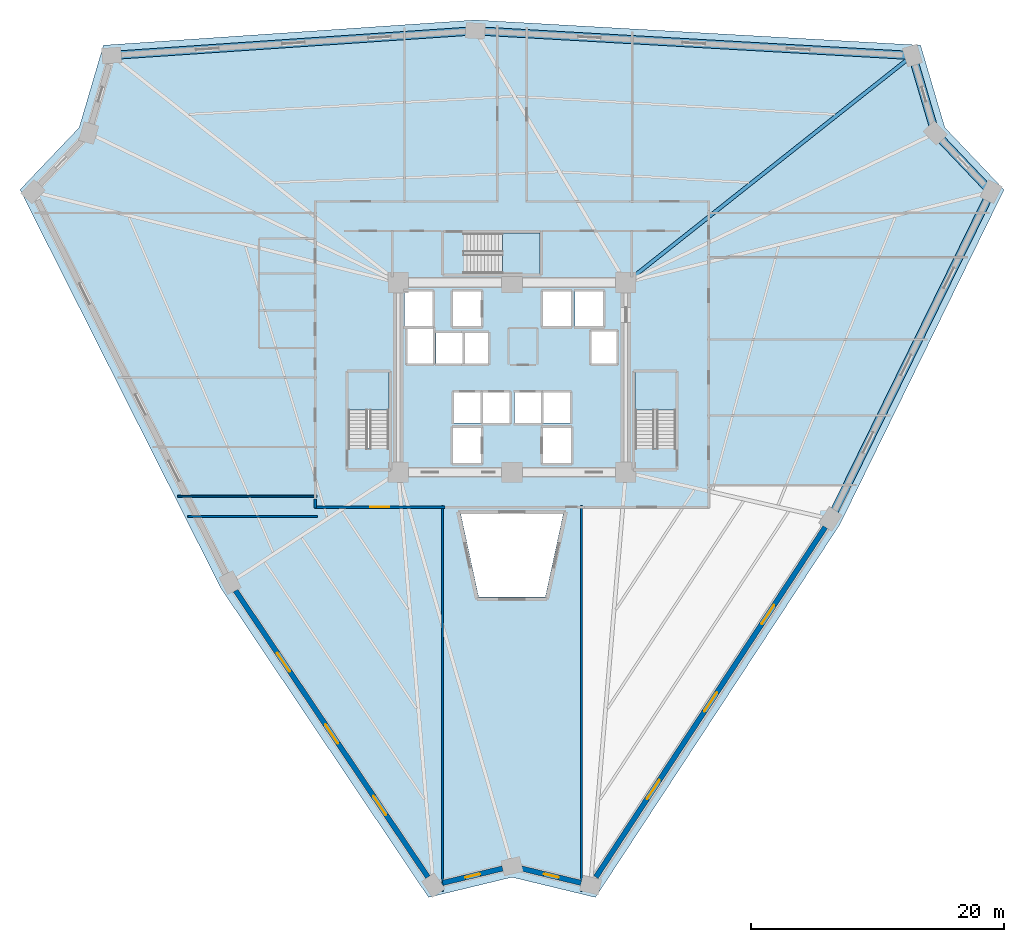
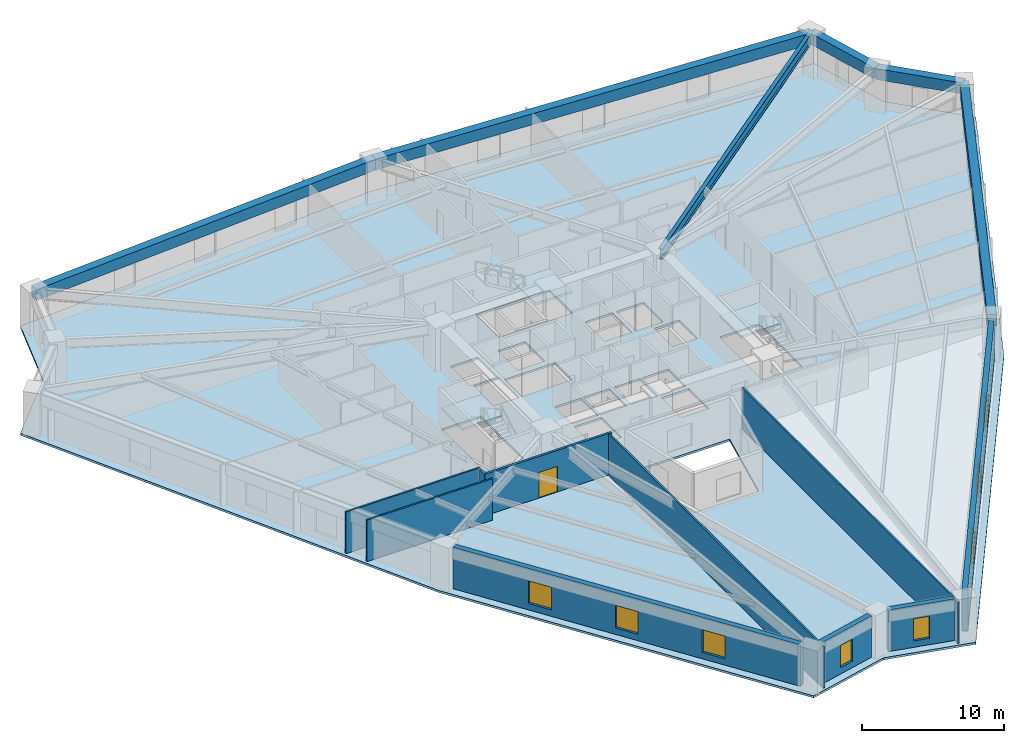
# One storey, part 2 of 9: 10 walls, 8 windows, 6 beams, 4 slabs, 1 door, 9 openings, 3 elements without a shape of their own.
"""IFC4 building model written with IfcOpenShell, lengths in metres."""

from ifc_helpers import new_model, si_unit, direction, frame, frame_2d, origin, origin_2d, place, context, subcontext, project, spatial, polyline, rectangle, i_section, outline, extrude, source, transform, mapped, material, layer, layer_set, material_profile, profile_set, type_object, element, fill, aggregate, save


model = new_model("IFC4")

# Units and contexts
model_context = context("Model", 3, precision=1e-05, world=origin(), true_north=direction((0.0, 1.0)))
body_context = subcontext(model_context, "Body", "Model", "MODEL_VIEW")
ifc_project = project(units=[si_unit("LENGTHUNIT", "METRE"), si_unit("AREAUNIT", "SQUARE_METRE"), si_unit("VOLUMEUNIT", "CUBIC_METRE"), si_unit("PLANEANGLEUNIT", "RADIAN"), si_unit("MASSUNIT", "GRAM", prefix="KILO")], contexts=[model_context])

# Site, building, storey
site_placement = place(None, origin())
site = spatial("IfcSite", under=ifc_project, at=site_placement, CompositionType="ELEMENT")
building_placement = place(site_placement, origin())
building = spatial("IfcBuilding", under=site, at=building_placement, Name="Liaohun Quay Tower", CompositionType="ELEMENT")
storey_placement = place(building_placement, frame((0.0, 0.0, 74.25)))
storey = spatial("IfcBuildingStorey", under=building, at=storey_placement, Name="L19", CompositionType="ELEMENT", Elevation=74.25)

# Beams
ifc_material_1 = material(Name="Steel Q420D", Category="steel")
ifc_material_profile_1 = material_profile(ifc_material_1, i_section(OverallWidth=0.300048828125, OverallDepth=0.89990234375, WebThickness=0.01611328125, FlangeThickness=0.028076171875, at=origin_2d()), Name="HN900x300x16x28")
ifc_profile_set_1 = profile_set([ifc_material_profile_1], Name="Steel Q420D")
beam_type_1 = type_object("IfcBeamType", Name="BM-RAD-H1", PredefinedType="BEAM", material=ifc_profile_set_1)
shared_shape_1 = source(origin(), body_context, "Body", "SweptSolid", [
    extrude(i_section(OverallWidth=0.300048828125, OverallDepth=0.89990234375, WebThickness=0.01611328125, FlangeThickness=0.028076171875, at=origin_2d()), origin(), (0.0, 0.0, 1.0), 28.9189453125),
])
beam_1_placement = place(storey_placement, frame((69.0, 61.5, 3.1201171875), z_axis=(0.783775959665, 0.621043674029, 0.0), x_axis=(-0.621043674029, 0.783775959665, 0.0)))
element("IfcBeam", 1, at=beam_1_placement, inside=storey, type_object=beam_type_1, Name="L19 Radial Primary Girder CC4-PC07", PredefinedType="BEAM", context=body_context, shape_type="MappedRepresentation", body=[
    mapped(shared_shape_1, transform((0.0, 0.0, 0.0), x_axis=(1.0, 0.0, 0.0), y_axis=(0.0, 1.0, 0.0), z_axis=(0.0, 0.0, 1.0), scale=1.0)),
])
ifc_material_2 = material(Name="Precast concrete C55", Category="concrete")
ifc_material_profile_2 = material_profile(ifc_material_2, rectangle(XDim=0.64990234375, YDim=0.949951171875, at=origin_2d()), Name="RC650x950")
ifc_profile_set_2 = profile_set([ifc_material_profile_2], Name="Precast concrete C55")
beam_type_2 = type_object("IfcBeamType", Name="BM-SPD-Z1", PredefinedType="SPANDREL", material=ifc_profile_set_2)
shared_shape_2 = source(origin(), body_context, "Body", "SweptSolid", [
    extrude(rectangle(XDim=0.64990234375, YDim=0.949951171875, at=origin_2d()), origin(), (0.0, 0.0, 1.0), 28.8271484375),
])
beam_2_placement = place(storey_placement, frame((28.3359375, 79.467041015625, 3.094970703125), z_axis=(0.99770728934, 0.067676914809, 0.0), x_axis=(-0.067676914809, 0.99770728934, 0.0)))
element("IfcBeam", 2, at=beam_2_placement, inside=storey, type_object=beam_type_2, Name="L19 Precast Spandrel Beam PC05-PC06", PredefinedType="SPANDREL", context=body_context, shape_type="MappedRepresentation", body=[
    mapped(shared_shape_2, transform((0.0, 0.0, 0.0), x_axis=(1.0, 0.0, 0.0), y_axis=(0.0, 1.0, 0.0), z_axis=(0.0, 0.0, 1.0), scale=1.0)),
])
shared_shape_3 = source(origin(), body_context, "Body", "SweptSolid", [
    extrude(rectangle(XDim=0.64990234375, YDim=0.949951171875, at=origin_2d()), origin(), (0.0, 0.0, 1.0), 34.62451171875),
])
beam_3_placement = place(storey_placement, frame((57.096923828125, 81.41796875, 3.094970703125), z_axis=(0.998399780783, -0.056549781008, 0.0), x_axis=(0.056549781008, 0.998399780783, 0.0)))
element("IfcBeam", 3, at=beam_3_placement, inside=storey, type_object=beam_type_2, Name="L19 Precast Spandrel Beam PC06-PC07", PredefinedType="SPANDREL", context=body_context, shape_type="MappedRepresentation", body=[
    mapped(shared_shape_3, transform((0.0, 0.0, 0.0), x_axis=(1.0, 0.0, 0.0), y_axis=(0.0, 1.0, 0.0), z_axis=(0.0, 0.0, 1.0), scale=1.0)),
])
shared_shape_4 = source(origin(), body_context, "Body", "SweptSolid", [
    extrude(rectangle(XDim=0.64990234375, YDim=0.949951171875, at=origin_2d()), origin(), (0.0, 0.0, 1.0), 6.39501953125),
])
beam_4_placement = place(storey_placement, frame((91.666015625, 79.4599609375, 3.094970703125), z_axis=(0.282738807051, -0.959196938583, 0.0), x_axis=(0.959196938583, 0.282738807051, 0.0)))
element("IfcBeam", 4, at=beam_4_placement, inside=storey, type_object=beam_type_2, Name="L19 Precast Spandrel Beam PC07-PC08", PredefinedType="SPANDREL", context=body_context, shape_type="MappedRepresentation", body=[
    mapped(shared_shape_4, transform((0.0, 0.0, 0.0), x_axis=(1.0, 0.0, 0.0), y_axis=(0.0, 1.0, 0.0), z_axis=(0.0, 0.0, 1.0), scale=1.0)),
])
shared_shape_5 = source(origin(), body_context, "Body", "SweptSolid", [
    extrude(rectangle(XDim=0.64990234375, YDim=0.949951171875, at=origin_2d()), origin(), (0.0, 0.0, 1.0), 6.40185546875),
])
beam_5_placement = place(storey_placement, frame((93.47412109375, 73.325927734375, 3.094970703125), z_axis=(0.689307516097, -0.724468873211, 0.0), x_axis=(0.724468873211, 0.689307516097, 0.0)))
element("IfcBeam", 5, at=beam_5_placement, inside=storey, type_object=beam_type_2, Name="L19 Precast Spandrel Beam PC08-PC09", PredefinedType="SPANDREL", context=body_context, shape_type="MappedRepresentation", body=[
    mapped(shared_shape_5, transform((0.0, 0.0, 0.0), x_axis=(1.0, 0.0, 0.0), y_axis=(0.0, 1.0, 0.0), z_axis=(0.0, 0.0, 1.0), scale=1.0)),
])
shared_shape_6 = source(origin(), body_context, "Body", "SweptSolid", [
    extrude(rectangle(XDim=0.64990234375, YDim=0.949951171875, at=origin_2d()), origin(), (0.0, 0.0, 1.0), 28.826171875),
])
beam_6_placement = place(storey_placement, frame((97.886962890625, 68.68798828125, 3.094970703125), z_axis=(-0.440258571868, -0.897871031884, 0.0), x_axis=(0.897871031884, -0.440258571868, 0.0)))
element("IfcBeam", 6, at=beam_6_placement, inside=storey, type_object=beam_type_2, Name="L19 Precast Spandrel Beam PC09-PC10", PredefinedType="SPANDREL", context=body_context, shape_type="MappedRepresentation", body=[
    mapped(shared_shape_6, transform((0.0, 0.0, 0.0), x_axis=(1.0, 0.0, 0.0), y_axis=(0.0, 1.0, 0.0), z_axis=(0.0, 0.0, 1.0), scale=1.0)),
])

# Stair, slab
ifc_material_3 = material(Name="Concrete C45", Category="concrete")
stair_type = type_object("IfcStairType", Name="STR-CORE-OFF", PredefinedType="HALF_TURN_STAIR", material=ifc_material_3)
stair_1_placement = place(storey_placement, origin())
stair_1 = element("IfcStair", 7, at=stair_1_placement, inside=storey, type_object=stair_type, Name="L19 Smokeproof Core Exit Stair ST-1", PredefinedType="HALF_TURN_STAIR")
ifc_layer_1 = layer(ifc_material_3, 0.199951171875, Name="Concrete C45", Category="concrete")
ifc_layer_set_1 = layer_set([ifc_layer_1], Name="Concrete C45")
slab_type_1 = type_object("IfcSlabType", Name="SLB-LND-200", PredefinedType="LANDING", material=ifc_layer_set_1)
slab_1_placement = place(storey_placement, frame((0.0, 0.0, 1.675048828125)))
slab_1 = element("IfcSlab", 8, at=slab_1_placement, type_object=slab_type_1, Name="ST-1 landing 1", PredefinedType="LANDING", context=body_context, shape_type="SweptSolid", body=[
    extrude(outline(polyline([(50.280029296875, 51.429931640625), (50.280029296875, 54.419921875), (47.0400390625, 54.419921875), (47.0400390625, 51.429931640625), (50.280029296875, 51.429931640625)])), origin(), (0.0, 0.0, 1.0), 0.199951171875),
])
aggregate(stair_1, [slab_1])

stair_2_placement = place(storey_placement, origin())
stair_2 = element("IfcStair", 9, at=stair_2_placement, inside=storey, type_object=stair_type, Name="L19 Smokeproof Core Exit Stair ST-2", PredefinedType="HALF_TURN_STAIR")
slab_2_placement = place(storey_placement, frame((0.0, 0.0, 1.675048828125)))
slab_2 = element("IfcSlab", 10, at=slab_2_placement, type_object=slab_type_1, Name="ST-2 landing 1", PredefinedType="LANDING", context=body_context, shape_type="SweptSolid", body=[
    extrude(outline(polyline([(72.9599609375, 51.429931640625), (72.9599609375, 54.419921875), (69.719970703125, 54.419921875), (69.719970703125, 51.429931640625), (72.9599609375, 51.429931640625)])), origin(), (0.0, 0.0, 1.0), 0.199951171875),
])
aggregate(stair_2, [slab_2])

stair_3_placement = place(storey_placement, origin())
stair_3 = element("IfcStair", 11, at=stair_3_placement, inside=storey, type_object=stair_type, Name="L19 Smokeproof Core Exit Stair ST-3", PredefinedType="HALF_TURN_STAIR")
slab_3_placement = place(storey_placement, frame((0.0, 0.0, 1.675048828125)))
slab_3 = element("IfcSlab", 12, at=slab_3_placement, type_object=slab_type_1, Name="ST-3 landing 1", PredefinedType="LANDING", context=body_context, shape_type="SweptSolid", body=[
    extrude(outline(polyline([(59.22998046875, 62.199951171875), (62.219970703125, 62.199951171875), (62.219970703125, 65.43994140625), (59.22998046875, 65.43994140625), (59.22998046875, 62.199951171875)])), origin(), (0.0, 0.0, 1.0), 0.199951171875),
])
aggregate(stair_3, [slab_3])

# Slab
ifc_layer_2 = layer(ifc_material_3, 0.179931640625, Name="Concrete C45", Category="concrete")
ifc_layer_set_2 = layer_set([ifc_layer_2], Name="Concrete C45")
slab_type_2 = type_object("IfcSlabType", Name="SLB-OFF-180", PredefinedType="FLOOR", material=ifc_layer_set_2)
slab_4_placement = place(storey_placement, frame((0.0, 0.0, -0.179931640625)))
element("IfcSlab", 13, at=slab_4_placement, inside=storey, type_object=slab_type_2, Name="L19 Structural Floor Slab", PredefinedType="FLOOR", context=body_context, shape_type="SweptSolid", body=[
    extrude(outline(polyline([(53.40087890625, 12.87890625), (60.0, 14.472900390625), (66.59912109375, 12.87890625), (85.93603515625, 42.384033203125), (98.910888671875, 68.844970703125), (94.23095703125, 73.762939453125), (92.31201171875, 80.27490234375), (57.092041015625, 82.27001953125), (27.68798828125, 80.27490234375), (25.76904296875, 73.762939453125), (21.089111328125, 68.844970703125), (36.971923828125, 37.346923828125), (53.40087890625, 12.87890625)]), holes=[polyline([(57.56005859375, 47.2099609375), (57.56005859375, 50.030029296875), (55.340087890625, 50.030029296875), (55.340087890625, 47.2099609375), (57.56005859375, 47.2099609375)]), polyline([(50.280029296875, 54.419921875), (47.0400390625, 54.419921875), (47.0400390625, 48.409912109375), (50.280029296875, 48.409912109375), (50.280029296875, 54.419921875)]), polyline([(57.510009765625, 50.389892578125), (57.510009765625, 52.81005859375), (55.389892578125, 52.81005859375), (55.389892578125, 50.389892578125), (57.510009765625, 50.389892578125)]), polyline([(59.81005859375, 50.389892578125), (59.81005859375, 52.81005859375), (57.68994140625, 52.81005859375), (57.68994140625, 50.389892578125), (59.81005859375, 50.389892578125)]), polyline([(58.110107421875, 57.510009765625), (53.989990234375, 57.510009765625), (53.989990234375, 55.090087890625), (58.110107421875, 55.090087890625), (58.110107421875, 57.510009765625)]), polyline([(53.760009765625, 55.090087890625), (53.760009765625, 57.909912109375), (51.7099609375, 57.909912109375), (51.7099609375, 55.090087890625), (53.760009765625, 55.090087890625)]), polyline([(51.489990234375, 58.0400390625), (53.7099609375, 58.0400390625), (53.7099609375, 60.7900390625), (51.489990234375, 60.7900390625), (51.489990234375, 58.0400390625)]), polyline([(55.340087890625, 58.0400390625), (57.56005859375, 58.0400390625), (57.56005859375, 60.7900390625), (55.340087890625, 60.7900390625), (55.340087890625, 58.0400390625)]), polyline([(62.636962890625, 36.631103515625), (64.056884765625, 43.199951171875), (55.943115234375, 43.199951171875), (57.363037109375, 36.631103515625), (62.636962890625, 36.631103515625)]), polyline([(64.659912109375, 47.2099609375), (64.659912109375, 50.030029296875), (62.43994140625, 50.030029296875), (62.43994140625, 47.2099609375), (64.659912109375, 47.2099609375)]), polyline([(72.9599609375, 54.419921875), (69.719970703125, 54.419921875), (69.719970703125, 48.409912109375), (72.9599609375, 48.409912109375), (72.9599609375, 54.419921875)]), polyline([(62.31005859375, 50.389892578125), (62.31005859375, 52.81005859375), (60.18994140625, 52.81005859375), (60.18994140625, 50.389892578125), (62.31005859375, 50.389892578125)]), polyline([(64.610107421875, 50.389892578125), (64.610107421875, 52.81005859375), (62.489990234375, 52.81005859375), (62.489990234375, 50.389892578125), (64.610107421875, 50.389892578125)]), polyline([(68.2900390625, 55.090087890625), (68.2900390625, 57.659912109375), (66.2900390625, 57.659912109375), (66.2900390625, 55.090087890625), (68.2900390625, 55.090087890625)]), polyline([(64.659912109375, 58.0400390625), (64.659912109375, 60.7900390625), (62.43994140625, 60.7900390625), (62.43994140625, 58.0400390625), (64.659912109375, 58.0400390625)]), polyline([(64.989990234375, 58.0400390625), (67.2099609375, 58.0400390625), (67.2099609375, 60.7900390625), (64.989990234375, 60.7900390625), (64.989990234375, 58.0400390625)]), polyline([(56.2099609375, 62.199951171875), (62.219970703125, 62.199951171875), (62.219970703125, 65.43994140625), (56.2099609375, 65.43994140625), (56.2099609375, 62.199951171875)])]), origin(), (0.0, 0.0, 1.0), 0.179931640625),
])

# Wall, opening, window
ifc_material_4 = material(Name="Precast concrete C50 insulated sandwich", Category="concrete")
ifc_layer_3 = layer(ifc_material_4, 0.419921875, Name="Precast concrete C50 insulated sandwich", Category="concrete")
ifc_layer_set_3 = layer_set([ifc_layer_3], Name="Precast concrete C50 insulated sandwich")
wall_type_1 = type_object("IfcWallType", Name="WAL-EXT-Z12", PredefinedType="SOLIDWALL", material=ifc_layer_set_3)
wall_1_placement = place(storey_placement, frame((60.743896484375, 15.1669921875, 0.0), z_axis=(0.0, 0.0, 1.0), x_axis=(0.972088524974, -0.234614363613, 0.0)))
wall_1 = element("IfcWall", 14, at=wall_1_placement, inside=storey, type_object=wall_type_1, Name="L19 Brutalist Precast Pier Wall 01", PredefinedType="SOLIDWALL", context=body_context, shape_type="SweptSolid", body=[
    extrude(rectangle(XDim=4.86376953125, YDim=0.419921875, at=frame_2d((2.431884765625, 0.0))), origin(), (0.0, 0.0, 1.0), 3.570068359375),
])
shared_shape_7 = source(origin(), body_context, "Body", "SweptSolid", [
    extrude(rectangle(XDim=1.199951171875, YDim=1.89990234375, at=frame_2d((0.60009765625, 0.949951171875))), frame((0.0, 0.219970703125, 0.0), z_axis=(0.0, -1.0, 0.0), x_axis=(1.0, 0.0, 0.0)), (0.0, 0.0, 1.0), 0.43994140625),
])
opening_1_placement = place(wall_1_placement, frame((1.83203125, 0.0, 0.550048828125)))
opening_1 = element("IfcOpeningElement", 15, at=opening_1_placement, cuts=wall_1, Name="Opening W05", PredefinedType="OPENING", context=body_context, shape_type="MappedRepresentation", body=[
    mapped(shared_shape_7, transform((0.0, 0.0, 0.0), x_axis=(1.0, 0.0, 0.0), y_axis=(0.0, 1.0, 0.0), z_axis=(0.0, 0.0, 1.0), scale=1.0)),
])
ifc_material_5 = material(Name="Triple Low-E corner notch glazing", Category="glass")
window_type_1 = type_object("IfcWindowType", Name="WIN-NOTCH", PartitioningType="SINGLE_PANEL", PredefinedType="WINDOW", material=ifc_material_5)
shared_shape_8 = source(origin(), body_context, "Body", "SweptSolid", [
    extrude(rectangle(XDim=1.199951171875, YDim=1.89990234375, at=frame_2d((0.60009765625, 0.949951171875))), frame((0.0, 0.030029296875, 0.0), z_axis=(0.0, -1.0, 0.0), x_axis=(1.0, 0.0, 0.0)), (0.0, 0.0, 1.0), 0.06005859375),
])
window_1_placement = place(opening_1_placement, origin())
window_1 = element("IfcWindow", 16, at=window_1_placement, inside=storey, type_object=window_type_1, Name="L19 Corner Notch Window W05-01", OverallHeight=1.89990234375, OverallWidth=1.199951171875, PartitioningType="SINGLE_PANEL", PredefinedType="WINDOW", context=body_context, shape_type="MappedRepresentation", body=[
    mapped(shared_shape_8, transform((0.0, 0.0, 0.0), x_axis=(1.0, 0.0, 0.0), y_axis=(0.0, 1.0, 0.0), z_axis=(0.0, 0.0, 1.0), scale=1.0)),
])
fill(opening_1, window_1)

# Wall, openings, windows
wall_2_placement = place(storey_placement, frame((66.635009765625, 14.486083984375, 0.0), z_axis=(0.0, 0.0, 1.0), x_axis=(0.548173435932, 0.836364683699, 0.0)))
wall_2 = element("IfcWall", 17, at=wall_2_placement, inside=storey, type_object=wall_type_1, Name="L19 Brutalist Precast Pier Wall 02", PredefinedType="SOLIDWALL", context=body_context, shape_type="SweptSolid", body=[
    extrude(rectangle(XDim=33.095458984375, YDim=0.419921875, at=frame_2d((16.5478515625, 0.0))), origin(), (0.0, 0.0, 1.0), 3.570068359375),
])
shared_shape_9 = source(origin(), body_context, "Body", "SweptSolid", [
    extrude(rectangle(XDim=1.800048828125, YDim=1.949951171875, at=frame_2d((0.89990234375, 0.97509765625))), frame((0.0, 0.219970703125, 0.0), z_axis=(0.0, -1.0, 0.0), x_axis=(1.0, 0.0, 0.0)), (0.0, 0.0, 1.0), 0.43994140625),
])
opening_2_placement = place(wall_2_placement, frame((7.3740234375, 0.0, 0.550048828125)))
opening_2 = element("IfcOpeningElement", 18, at=opening_2_placement, cuts=wall_2, Name="Opening W01", PredefinedType="OPENING", context=body_context, shape_type="MappedRepresentation", body=[
    mapped(shared_shape_9, transform((0.0, 0.0, 0.0), x_axis=(1.0, 0.0, 0.0), y_axis=(0.0, 1.0, 0.0), z_axis=(0.0, 0.0, 1.0), scale=1.0)),
])
opening_3_placement = place(wall_2_placement, frame((15.64794921875, 0.0, 0.550048828125)))
opening_3 = element("IfcOpeningElement", 19, at=opening_3_placement, cuts=wall_2, Name="Opening W01", PredefinedType="OPENING", context=body_context, shape_type="MappedRepresentation", body=[
    mapped(shared_shape_9, transform((0.0, 0.0, 0.0), x_axis=(1.0, 0.0, 0.0), y_axis=(0.0, 1.0, 0.0), z_axis=(0.0, 0.0, 1.0), scale=1.0)),
])
opening_4_placement = place(wall_2_placement, frame((23.922119140625, 0.0, 0.550048828125)))
opening_4 = element("IfcOpeningElement", 20, at=opening_4_placement, cuts=wall_2, Name="Opening W01", PredefinedType="OPENING", context=body_context, shape_type="MappedRepresentation", body=[
    mapped(shared_shape_9, transform((0.0, 0.0, 0.0), x_axis=(1.0, 0.0, 0.0), y_axis=(0.0, 1.0, 0.0), z_axis=(0.0, 0.0, 1.0), scale=1.0)),
])
ifc_material_6 = material(Name="Triple Low-E argon glazing in thermally broken aluminium", Category="aluminium")
window_type_2 = type_object("IfcWindowType", Name="WIN-PUN-Z1", PartitioningType="DOUBLE_PANEL_VERTICAL", PredefinedType="WINDOW", material=ifc_material_6)
shared_shape_10 = source(origin(), body_context, "Body", "SweptSolid", [
    extrude(rectangle(XDim=1.800048828125, YDim=1.949951171875, at=frame_2d((0.89990234375, 0.97509765625))), frame((0.0, 0.030029296875, 0.0), z_axis=(0.0, -1.0, 0.0), x_axis=(1.0, 0.0, 0.0)), (0.0, 0.0, 1.0), 0.06005859375),
])
window_2_placement = place(opening_2_placement, origin())
window_2 = element("IfcWindow", 21, at=window_2_placement, inside=storey, type_object=window_type_2, Name="L19 Recessed Cold-Climate Punched Window 02-1", OverallHeight=1.949951171875, OverallWidth=1.800048828125, PartitioningType="DOUBLE_PANEL_VERTICAL", PredefinedType="WINDOW", context=body_context, shape_type="MappedRepresentation", body=[
    mapped(shared_shape_10, transform((0.0, 0.0, 0.0), x_axis=(1.0, 0.0, 0.0), y_axis=(0.0, 1.0, 0.0), z_axis=(0.0, 0.0, 1.0), scale=1.0)),
])
fill(opening_2, window_2)
window_3_placement = place(opening_3_placement, origin())
window_3 = element("IfcWindow", 22, at=window_3_placement, inside=storey, type_object=window_type_2, Name="L19 Recessed Cold-Climate Punched Window 02-2", OverallHeight=1.949951171875, OverallWidth=1.800048828125, PartitioningType="DOUBLE_PANEL_VERTICAL", PredefinedType="WINDOW", context=body_context, shape_type="MappedRepresentation", body=[
    mapped(shared_shape_10, transform((0.0, 0.0, 0.0), x_axis=(1.0, 0.0, 0.0), y_axis=(0.0, 1.0, 0.0), z_axis=(0.0, 0.0, 1.0), scale=1.0)),
])
fill(opening_3, window_3)
window_4_placement = place(opening_4_placement, origin())
window_4 = element("IfcWindow", 23, at=window_4_placement, inside=storey, type_object=window_type_2, Name="L19 Recessed Cold-Climate Punched Window 02-3", OverallHeight=1.949951171875, OverallWidth=1.800048828125, PartitioningType="DOUBLE_PANEL_VERTICAL", PredefinedType="WINDOW", context=body_context, shape_type="MappedRepresentation", body=[
    mapped(shared_shape_10, transform((0.0, 0.0, 0.0), x_axis=(1.0, 0.0, 0.0), y_axis=(0.0, 1.0, 0.0), z_axis=(0.0, 0.0, 1.0), scale=1.0)),
])
fill(opening_4, window_4)

wall_3_placement = place(storey_placement, frame((38.133056640625, 37.14208984375, 0.0), z_axis=(0.0, 0.0, 1.0), x_axis=(0.557468884112, -0.830197833801, 0.0)))
wall_3 = element("IfcWall", 24, at=wall_3_placement, inside=storey, type_object=wall_type_1, Name="L19 Brutalist Precast Pier Wall 11", PredefinedType="SOLIDWALL", context=body_context, shape_type="SweptSolid", body=[
    extrude(rectangle(XDim=27.29833984375, YDim=0.419921875, at=frame_2d((13.649169921875, 0.0))), origin(), (0.0, 0.0, 1.0), 3.570068359375),
])
opening_5_placement = place(wall_3_placement, frame((5.925048828125, 0.0, 0.550048828125)))
opening_5 = element("IfcOpeningElement", 25, at=opening_5_placement, cuts=wall_3, Name="Opening W01", PredefinedType="OPENING", context=body_context, shape_type="MappedRepresentation", body=[
    mapped(shared_shape_9, transform((0.0, 0.0, 0.0), x_axis=(1.0, 0.0, 0.0), y_axis=(0.0, 1.0, 0.0), z_axis=(0.0, 0.0, 1.0), scale=1.0)),
])
opening_6_placement = place(wall_3_placement, frame((12.7490234375, 0.0, 0.550048828125)))
opening_6 = element("IfcOpeningElement", 26, at=opening_6_placement, cuts=wall_3, Name="Opening W01", PredefinedType="OPENING", context=body_context, shape_type="MappedRepresentation", body=[
    mapped(shared_shape_9, transform((0.0, 0.0, 0.0), x_axis=(1.0, 0.0, 0.0), y_axis=(0.0, 1.0, 0.0), z_axis=(0.0, 0.0, 1.0), scale=1.0)),
])
opening_7_placement = place(wall_3_placement, frame((19.573974609375, 0.0, 0.550048828125)))
opening_7 = element("IfcOpeningElement", 27, at=opening_7_placement, cuts=wall_3, Name="Opening W01", PredefinedType="OPENING", context=body_context, shape_type="MappedRepresentation", body=[
    mapped(shared_shape_9, transform((0.0, 0.0, 0.0), x_axis=(1.0, 0.0, 0.0), y_axis=(0.0, 1.0, 0.0), z_axis=(0.0, 0.0, 1.0), scale=1.0)),
])
window_5_placement = place(opening_5_placement, origin())
window_5 = element("IfcWindow", 28, at=window_5_placement, inside=storey, type_object=window_type_2, Name="L19 Recessed Cold-Climate Punched Window 11-1", OverallHeight=1.949951171875, OverallWidth=1.800048828125, PartitioningType="DOUBLE_PANEL_VERTICAL", PredefinedType="WINDOW", context=body_context, shape_type="MappedRepresentation", body=[
    mapped(shared_shape_10, transform((0.0, 0.0, 0.0), x_axis=(1.0, 0.0, 0.0), y_axis=(0.0, 1.0, 0.0), z_axis=(0.0, 0.0, 1.0), scale=1.0)),
])
fill(opening_5, window_5)
window_6_placement = place(opening_6_placement, origin())
window_6 = element("IfcWindow", 29, at=window_6_placement, inside=storey, type_object=window_type_2, Name="L19 Recessed Cold-Climate Punched Window 11-2", OverallHeight=1.949951171875, OverallWidth=1.800048828125, PartitioningType="DOUBLE_PANEL_VERTICAL", PredefinedType="WINDOW", context=body_context, shape_type="MappedRepresentation", body=[
    mapped(shared_shape_10, transform((0.0, 0.0, 0.0), x_axis=(1.0, 0.0, 0.0), y_axis=(0.0, 1.0, 0.0), z_axis=(0.0, 0.0, 1.0), scale=1.0)),
])
fill(opening_6, window_6)
window_7_placement = place(opening_7_placement, origin())
window_7 = element("IfcWindow", 30, at=window_7_placement, inside=storey, type_object=window_type_2, Name="L19 Recessed Cold-Climate Punched Window 11-3", OverallHeight=1.949951171875, OverallWidth=1.800048828125, PartitioningType="DOUBLE_PANEL_VERTICAL", PredefinedType="WINDOW", context=body_context, shape_type="MappedRepresentation", body=[
    mapped(shared_shape_10, transform((0.0, 0.0, 0.0), x_axis=(1.0, 0.0, 0.0), y_axis=(0.0, 1.0, 0.0), z_axis=(0.0, 0.0, 1.0), scale=1.0)),
])
fill(opening_7, window_7)

# Wall, opening, window
wall_4_placement = place(storey_placement, frame((54.52099609375, 14.02392578125, 0.0), z_axis=(0.0, 0.0, 1.0), x_axis=(0.972077083714, 0.234661763648, 0.0)))
wall_4 = element("IfcWall", 31, at=wall_4_placement, inside=storey, type_object=wall_type_1, Name="L19 Brutalist Precast Pier Wall 12", PredefinedType="SOLIDWALL", context=body_context, shape_type="SweptSolid", body=[
    extrude(rectangle(XDim=4.87109375, YDim=0.419921875, at=frame_2d((2.435546875, 0.0))), origin(), (0.0, 0.0, 1.0), 3.570068359375),
])
opening_8_placement = place(wall_4_placement, frame((1.8359375, 0.0, 0.550048828125)))
opening_8 = element("IfcOpeningElement", 32, at=opening_8_placement, cuts=wall_4, Name="Opening W05", PredefinedType="OPENING", context=body_context, shape_type="MappedRepresentation", body=[
    mapped(shared_shape_7, transform((0.0, 0.0, 0.0), x_axis=(1.0, 0.0, 0.0), y_axis=(0.0, 1.0, 0.0), z_axis=(0.0, 0.0, 1.0), scale=1.0)),
])
window_8_placement = place(opening_8_placement, origin())
window_8 = element("IfcWindow", 33, at=window_8_placement, inside=storey, type_object=window_type_1, Name="L19 Corner Notch Window W05-12", OverallHeight=1.89990234375, OverallWidth=1.199951171875, PartitioningType="SINGLE_PANEL", PredefinedType="WINDOW", context=body_context, shape_type="MappedRepresentation", body=[
    mapped(shared_shape_8, transform((0.0, 0.0, 0.0), x_axis=(1.0, 0.0, 0.0), y_axis=(0.0, 1.0, 0.0), z_axis=(0.0, 0.0, 1.0), scale=1.0)),
])
fill(opening_8, window_8)

# Wall, opening, door
ifc_material_7 = material(Name="Autoclaved aerated concrete blockwork", Category="masonry")
ifc_layer_4 = layer(ifc_material_7, 0.179931640625, Name="Autoclaved aerated concrete blockwork", Category="masonry")
ifc_layer_set_4 = layer_set([ifc_layer_4], Name="Autoclaved aerated concrete blockwork")
wall_type_2 = type_object("IfcWallType", Name="WAL-PRT-COR", PredefinedType="PARTITIONING", material=ifc_layer_set_4)
wall_5_placement = place(storey_placement, frame((54.715087890625, 43.739990234375, 0.0), z_axis=(0.0, 0.0, 1.0), x_axis=(-1.0, 0.0, 0.0)))
wall_5 = element("IfcWall", 34, at=wall_5_placement, inside=storey, type_object=wall_type_2, Name="L19 Interior Partition Wall 019", PredefinedType="PARTITIONING", context=body_context, shape_type="SweptSolid", body=[
    extrude(rectangle(XDim=10.344970703125, YDim=0.179931640625, at=frame_2d((5.17236328125, 0.0))), origin(), (0.0, 0.0, 1.0), 3.570068359375),
])
shared_shape_11 = source(origin(), body_context, "Body", "SweptSolid", [
    extrude(rectangle(XDim=1.5, YDim=2.199951171875, at=frame_2d((0.75, 1.10009765625))), frame((0.0, 0.099853515625, 0.0), z_axis=(0.0, -1.0, 0.0), x_axis=(1.0, 0.0, 0.0)), (0.0, 0.0, 1.0), 0.199951171875),
])
opening_9_placement = place(wall_5_placement, frame((4.423095703125, 0.0, 0.0)))
opening_9 = element("IfcOpeningElement", 35, at=opening_9_placement, cuts=wall_5, Name="Opening OD2", PredefinedType="OPENING", context=body_context, shape_type="MappedRepresentation", body=[
    mapped(shared_shape_11, transform((0.0, 0.0, 0.0), x_axis=(1.0, 0.0, 0.0), y_axis=(0.0, 1.0, 0.0), z_axis=(0.0, 0.0, 1.0), scale=1.0)),
])
ifc_material_8 = material(Name="Acoustic oak veneer double door")
door_type = type_object("IfcDoorType", Name="DOR-OFF-1500", OperationType="DOUBLE_DOOR_SINGLE_SWING", PredefinedType="DOOR", material=ifc_material_8)
shared_shape_12 = source(origin(), body_context, "Body", "SweptSolid", [
    extrude(rectangle(XDim=1.5, YDim=2.199951171875, at=frame_2d((0.75, 1.10009765625))), frame((0.0, 0.02490234375, 0.0), z_axis=(0.0, -1.0, 0.0), x_axis=(1.0, 0.0, 0.0)), (0.0, 0.0, 1.0), 0.050048828125),
])
door_placement = place(opening_9_placement, origin())
door = element("IfcDoor", 36, at=door_placement, inside=storey, type_object=door_type, Name="L19 Executive Partner Office 11 Door", OperationType="DOUBLE_DOOR_SINGLE_SWING", OverallHeight=2.199951171875, OverallWidth=1.5, PredefinedType="DOOR", context=body_context, shape_type="MappedRepresentation", body=[
    mapped(shared_shape_12, transform((0.0, 0.0, 0.0), x_axis=(1.0, 0.0, 0.0), y_axis=(0.0, 1.0, 0.0), z_axis=(0.0, 0.0, 1.0), scale=1.0)),
])
fill(opening_9, door)

# Walls
wall_6_placement = place(storey_placement, frame((44.43994140625, 43.669921875, 0.0), z_axis=(0.0, 0.0, 1.0), x_axis=(0.0, 1.0, 0.0)))
element("IfcWall", 37, at=wall_6_placement, inside=storey, type_object=wall_type_2, Name="L19 Interior Partition Wall 038", PredefinedType="PARTITIONING", context=body_context, shape_type="SweptSolid", body=[
    extrude(rectangle(XDim=0.715087890625, YDim=0.179931640625, at=frame_2d((0.357421875, 0.0))), origin(), (0.0, 0.0, 1.0), 3.570068359375),
])
ifc_material_9 = material(Name="Gypsum board on twin steel studs", Category="steel")
ifc_layer_5 = layer(ifc_material_9, 0.139892578125, Name="Gypsum board on twin steel studs", Category="steel")
ifc_layer_set_5 = layer_set([ifc_layer_5], Name="Gypsum board on twin steel studs")
wall_type_3 = type_object("IfcWallType", Name="WAL-PRT-OFF", PredefinedType="PARTITIONING", material=ifc_layer_set_5)
wall_7_placement = place(storey_placement, frame((44.60009765625, 43.0, 0.0), z_axis=(0.0, 0.0, 1.0), x_axis=(-1.0, 0.0, 0.0)))
element("IfcWall", 38, at=wall_7_placement, inside=storey, type_object=wall_type_3, Name="L19 Interior Partition Wall 040", PredefinedType="PARTITIONING", context=body_context, shape_type="SweptSolid", body=[
    extrude(rectangle(XDim=10.232177734375, YDim=0.139892578125, at=frame_2d((5.1162109375, 0.0))), origin(), (0.0, 0.0, 1.0), 3.570068359375),
])
wall_8_placement = place(storey_placement, frame((44.5400390625, 44.60009765625, 0.0), z_axis=(0.0, 0.0, 1.0), x_axis=(-1.0, 0.0, 0.0)))
element("IfcWall", 39, at=wall_8_placement, inside=storey, type_object=wall_type_3, Name="L19 Interior Partition Wall 041", PredefinedType="PARTITIONING", context=body_context, shape_type="SweptSolid", body=[
    extrude(rectangle(XDim=10.97900390625, YDim=0.139892578125, at=frame_2d((5.489501953125, 0.0))), origin(), (0.0, 0.0, 1.0), 3.570068359375),
])
for number, where, z_axis, x_axis, name in (
    (40, (54.5, 43.840087890625, 0.0), (0.0, 0.0, 1.0), (0.0, -1.0, 0.0), "L19 Interior Partition Wall 052"),
    (41, (65.5, 43.840087890625, 0.0), (0.0, 0.0, 1.0), (0.0, -1.0, 0.0), "L19 Interior Partition Wall 053"),
):
    element("IfcWall", number, at=place(storey_placement, frame(where, z_axis=z_axis, x_axis=x_axis)), inside=storey, type_object=wall_type_3, Name=name, PredefinedType="PARTITIONING", context=body_context, shape_type="SweptSolid", body=[
        extrude(rectangle(XDim=30.468994140625, YDim=0.139892578125, at=frame_2d((15.234375, 0.0))), origin(), (0.0, 0.0, 1.0), 3.570068359375),
    ])

save(model, "model.ifc")
